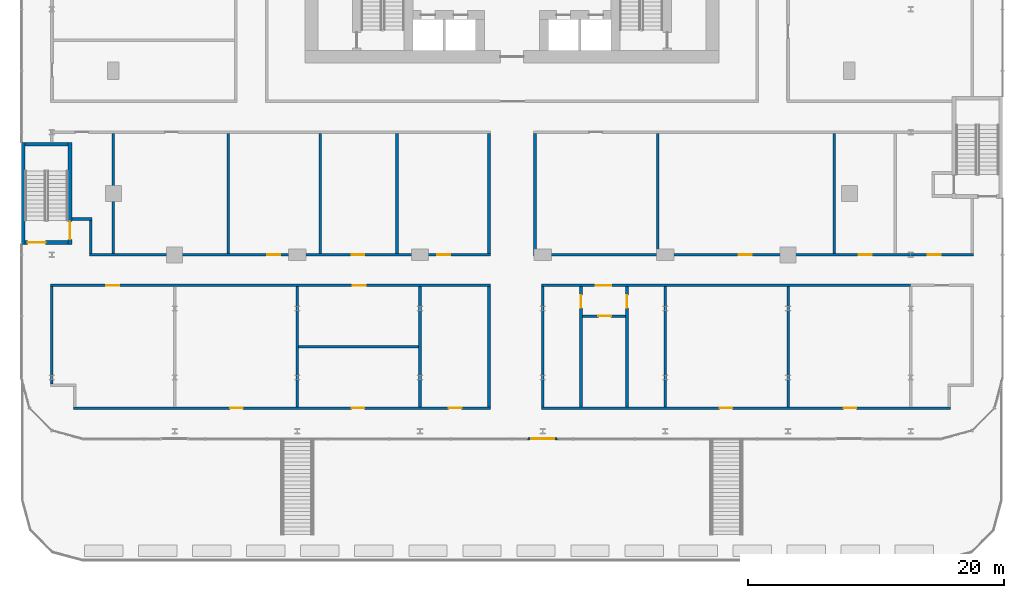
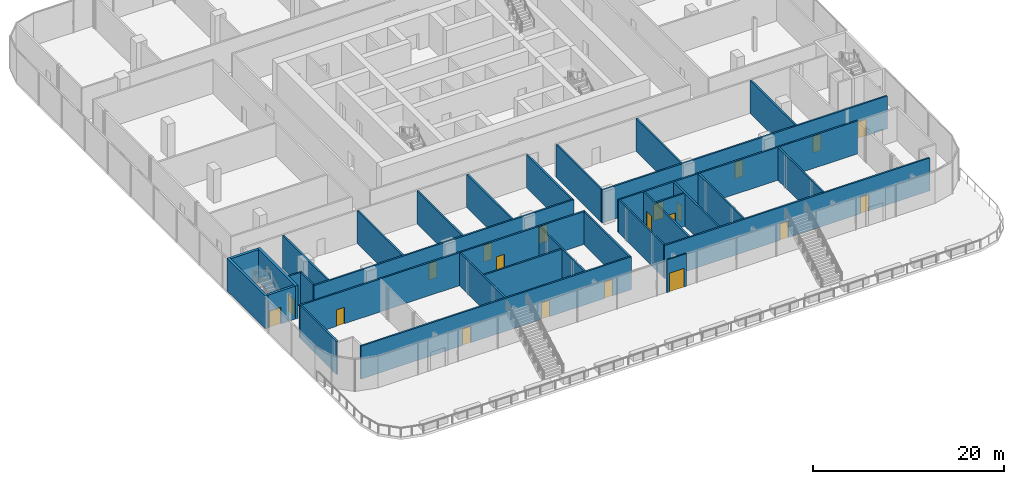
# One storey, part 27 of 38: 32 walls, 20 doors, 20 openings.
"""IFC4 building model written with IfcOpenShell, lengths in metres."""

from ifc_helpers import new_model, si_unit, direction, frame, frame_2d, origin, place, context, subcontext, project, spatial, rectangle, extrude, material, layer, layer_set, type_object, element, fill, save


model = new_model("IFC4")

# Units and contexts
model_context = context("Model", 3, precision=1e-05, world=origin(), true_north=direction((0.0, 1.0)))
body_context = subcontext(model_context, "Body", "Model", "MODEL_VIEW")
ifc_project = project(units=[si_unit("LENGTHUNIT", "METRE"), si_unit("AREAUNIT", "SQUARE_METRE"), si_unit("VOLUMEUNIT", "CUBIC_METRE"), si_unit("PLANEANGLEUNIT", "RADIAN"), si_unit("MASSUNIT", "GRAM", prefix="KILO")], contexts=[model_context])

# Site, building, storey
site_placement = place(None, origin())
site = spatial("IfcSite", under=ifc_project, at=site_placement, CompositionType="ELEMENT")
building_placement = place(site_placement, origin())
building = spatial("IfcBuilding", under=site, at=building_placement, Name="Madar Terraces", CompositionType="ELEMENT")
storey_placement = place(building_placement, frame((0.0, 0.0, 15.0)))
storey = spatial("IfcBuildingStorey", under=building, at=storey_placement, Name="L03", CompositionType="ELEMENT", Elevation=15.0)

# Wall, opening, door
ifc_material_1 = material(Name="Aluminium composite panel, black, over insulated backing", Category="aluminium")
ifc_layer_1 = layer(ifc_material_1, 0.14990234375)
ifc_layer_set_1 = layer_set([ifc_layer_1], Name="Facade bay panel 150")
wall_type_1 = type_object("IfcWallType", Name="Facade bay panel 150", PredefinedType="SOLIDWALL", material=ifc_layer_set_1)
wall_1_placement = place(storey_placement, frame((32.39990234375, -14.39990234375, 0.0), z_axis=(0.0, 0.0, 1.0), x_axis=(1.0, 0.0, 0.0)))
wall_1 = element("IfcWall", 1, at=wall_1_placement, inside=storey, type_object=wall_type_1, Name="Facade bay panel", PredefinedType="SOLIDWALL", context=body_context, shape_type="SweptSolid", body=[
    extrude(rectangle(XDim=2.400146484375, YDim=0.14990234375, at=frame_2d((1.2001953125, 0.0))), origin(), (0.0, 0.0, 1.0), 4.199951171875),
])
opening_1_placement = place(wall_1_placement, frame((0.300048828125, 0.0, 0.0)))
opening_1 = element("IfcOpeningElement", 2, at=opening_1_placement, cuts=wall_1, Name="Opening ED1", PredefinedType="OPENING", context=body_context, shape_type="SweptSolid", body=[
    extrude(rectangle(XDim=1.800048828125, YDim=2.39990234375, at=frame_2d((0.89990234375, 1.199951171875))), frame((0.0, 0.0849609375, 0.0), z_axis=(0.0, -1.0, 0.0), x_axis=(1.0, 0.0, 0.0)), (0.0, 0.0, 1.0), 0.169921875),
])
ifc_material_2 = material(Name="Glass, clear, with black aluminium frame", Category="aluminium")
door_type_1 = type_object("IfcDoorType", Name="Balcony and terrace sliding door 1800 x 2400", OperationType="SLIDING_TO_LEFT", PredefinedType="DOOR", material=ifc_material_2)
door_1_placement = place(opening_1_placement, origin())
door_1 = element("IfcDoor", 3, at=door_1_placement, inside=storey, type_object=door_type_1, Name="Balcony door", OperationType="SLIDING_TO_RIGHT", OverallHeight=2.39990234375, OverallWidth=1.800048828125, PredefinedType="DOOR", context=body_context, shape_type="SweptSolid", body=[
    extrude(rectangle(XDim=1.800048828125, YDim=2.39990234375, at=frame_2d((0.89990234375, 1.199951171875))), frame((0.0, 0.02490234375, 0.0), z_axis=(0.0, -1.0, 0.0), x_axis=(1.0, 0.0, 0.0)), (0.0, 0.0, 1.0), 0.050048828125),
])
fill(opening_1, door_1)

# Wall, openings, doors
ifc_material_3 = material(Name="Gypsum board partition, fire-rated")
ifc_layer_2 = layer(ifc_material_3, 0.199951171875)
ifc_layer_set_2 = layer_set([ifc_layer_2], Name="Partition 200 EI 60")
wall_type_2 = type_object("IfcWallType", Name="Partition 200 EI 60", PredefinedType="PARTITIONING", material=ifc_layer_set_2)
wall_2_placement = place(storey_placement, frame((-3.10009765625, -12.0, 0.0), z_axis=(0.0, 0.0, 1.0), x_axis=(1.0, 0.0, 0.0)))
wall_2 = element("IfcWall", 4, at=wall_2_placement, inside=storey, type_object=wall_type_2, Name="Wall NURSERY PLAY ROOM + STAFF ROOM", PredefinedType="PARTITIONING", context=body_context, shape_type="SweptSolid", body=[
    extrude(rectangle(XDim=32.60009765625, YDim=0.199951171875, at=frame_2d((16.300048828125, 0.0))), origin(), (0.0, 0.0, 1.0), 4.199951171875),
])
opening_2_placement = place(wall_2_placement, frame((12.25, 0.0, 0.0)))
opening_2 = element("IfcOpeningElement", 5, at=opening_2_placement, cuts=wall_2, Name="Opening D31", PredefinedType="OPENING", context=body_context, shape_type="SweptSolid", body=[
    extrude(rectangle(XDim=1.0, YDim=2.10009765625, at=frame_2d((0.5, 1.050048828125))), frame((0.0, 0.10986328125, 0.0), z_axis=(0.0, -1.0, 0.0), x_axis=(1.0, 0.0, 0.0)), (0.0, 0.0, 1.0), 0.219970703125),
])
opening_3_placement = place(wall_2_placement, frame((21.75, 0.0, 0.0)))
opening_3 = element("IfcOpeningElement", 6, at=opening_3_placement, cuts=wall_2, Name="Opening D31", PredefinedType="OPENING", context=body_context, shape_type="SweptSolid", body=[
    extrude(rectangle(XDim=1.0, YDim=2.10009765625, at=frame_2d((0.5, 1.050048828125))), frame((0.0, 0.10986328125, 0.0), z_axis=(0.0, -1.0, 0.0), x_axis=(1.0, 0.0, 0.0)), (0.0, 0.0, 1.0), 0.219970703125),
])
opening_4_placement = place(wall_2_placement, frame((29.35009765625, 0.0, 0.0)))
opening_4 = element("IfcOpeningElement", 7, at=opening_4_placement, cuts=wall_2, Name="Opening D31", PredefinedType="OPENING", context=body_context, shape_type="SweptSolid", body=[
    extrude(rectangle(XDim=1.0, YDim=2.10009765625, at=frame_2d((0.5, 1.050048828125))), frame((0.0, 0.10986328125, 0.0), z_axis=(0.0, -1.0, 0.0), x_axis=(1.0, 0.0, 0.0)), (0.0, 0.0, 1.0), 0.219970703125),
])
ifc_material_4 = material(Name="Timber door leaf, fire-rated", Category="wood")
door_type_2 = type_object("IfcDoorType", Name="Podium door 1000 x 2100 FD30S", OperationType="NOTDEFINED", PredefinedType="DOOR", material=ifc_material_4)
door_2_placement = place(opening_2_placement, origin())
door_2 = element("IfcDoor", 8, at=door_2_placement, inside=storey, type_object=door_type_2, Name="Door NURSERY PLAY ROOM / PODIUM CORRIDOR", OperationType="SINGLE_SWING_RIGHT", OverallHeight=2.10009765625, OverallWidth=1.0, PredefinedType="DOOR", context=body_context, shape_type="SweptSolid", body=[
    extrude(rectangle(XDim=1.0, YDim=2.10009765625, at=frame_2d((0.5, 1.050048828125))), frame((0.0, 0.02490234375, 0.0), z_axis=(0.0, -1.0, 0.0), x_axis=(1.0, 0.0, 0.0)), (0.0, 0.0, 1.0), 0.050048828125),
])
fill(opening_2, door_2)
door_3_placement = place(opening_3_placement, origin())
door_3 = element("IfcDoor", 9, at=door_3_placement, inside=storey, type_object=door_type_2, Name="Door STORE / PODIUM CORRIDOR", OperationType="SINGLE_SWING_LEFT", OverallHeight=2.10009765625, OverallWidth=1.0, PredefinedType="DOOR", context=body_context, shape_type="SweptSolid", body=[
    extrude(rectangle(XDim=1.0, YDim=2.10009765625, at=frame_2d((0.5, 1.050048828125))), frame((0.0, 0.02490234375, 0.0), z_axis=(0.0, -1.0, 0.0), x_axis=(1.0, 0.0, 0.0)), (0.0, 0.0, 1.0), 0.050048828125),
])
fill(opening_3, door_3)
door_4_placement = place(opening_4_placement, origin())
door_4 = element("IfcDoor", 10, at=door_4_placement, inside=storey, type_object=door_type_2, Name="Door STAFF ROOM / PODIUM CORRIDOR", OperationType="SINGLE_SWING_RIGHT", OverallHeight=2.10009765625, OverallWidth=1.0, PredefinedType="DOOR", context=body_context, shape_type="SweptSolid", body=[
    extrude(rectangle(XDim=1.0, YDim=2.10009765625, at=frame_2d((0.5, 1.050048828125))), frame((0.0, 0.02490234375, 0.0), z_axis=(0.0, -1.0, 0.0), x_axis=(1.0, 0.0, 0.0)), (0.0, 0.0, 1.0), 0.050048828125),
])
fill(opening_4, door_4)

wall_3_placement = place(storey_placement, frame((33.5, -12.0, 0.0), z_axis=(0.0, 0.0, 1.0), x_axis=(1.0, 0.0, 0.0)))
wall_3 = element("IfcWall", 11, at=wall_3_placement, inside=storey, type_object=wall_type_2, Name="Wall ACCESSIBLE WC + ACTIVITY ROOM", PredefinedType="PARTITIONING", context=body_context, shape_type="SweptSolid", body=[
    extrude(rectangle(XDim=32.0, YDim=0.199951171875, at=frame_2d((16.0, 0.0))), origin(), (0.0, 0.0, 1.0), 4.199951171875),
])
opening_5_placement = place(wall_3_placement, frame((13.949951171875, 0.0, 0.0)))
opening_5 = element("IfcOpeningElement", 12, at=opening_5_placement, cuts=wall_3, Name="Opening D31", PredefinedType="OPENING", context=body_context, shape_type="SweptSolid", body=[
    extrude(rectangle(XDim=1.0, YDim=2.10009765625, at=frame_2d((0.5, 1.050048828125))), frame((0.0, 0.10986328125, 0.0), z_axis=(0.0, -1.0, 0.0), x_axis=(1.0, 0.0, 0.0)), (0.0, 0.0, 1.0), 0.219970703125),
])
opening_6_placement = place(wall_3_placement, frame((23.64990234375, 0.0, 0.0)))
opening_6 = element("IfcOpeningElement", 13, at=opening_6_placement, cuts=wall_3, Name="Opening D31", PredefinedType="OPENING", context=body_context, shape_type="SweptSolid", body=[
    extrude(rectangle(XDim=1.0, YDim=2.10009765625, at=frame_2d((0.5, 1.050048828125))), frame((0.0, 0.10986328125, 0.0), z_axis=(0.0, -1.0, 0.0), x_axis=(1.0, 0.0, 0.0)), (0.0, 0.0, 1.0), 0.219970703125),
])
door_5_placement = place(opening_5_placement, origin())
door_5 = element("IfcDoor", 14, at=door_5_placement, inside=storey, type_object=door_type_2, Name="Door ACTIVITY ROOM / PODIUM CORRIDOR", OperationType="SINGLE_SWING_LEFT", OverallHeight=2.10009765625, OverallWidth=1.0, PredefinedType="DOOR", context=body_context, shape_type="SweptSolid", body=[
    extrude(rectangle(XDim=1.0, YDim=2.10009765625, at=frame_2d((0.5, 1.050048828125))), frame((0.0, 0.02490234375, 0.0), z_axis=(0.0, -1.0, 0.0), x_axis=(1.0, 0.0, 0.0)), (0.0, 0.0, 1.0), 0.050048828125),
])
fill(opening_5, door_5)
door_6_placement = place(opening_6_placement, origin())
door_6 = element("IfcDoor", 15, at=door_6_placement, inside=storey, type_object=door_type_2, Name="Door ACTIVITY ROOM / PODIUM CORRIDOR", OperationType="SINGLE_SWING_RIGHT", OverallHeight=2.10009765625, OverallWidth=1.0, PredefinedType="DOOR", context=body_context, shape_type="SweptSolid", body=[
    extrude(rectangle(XDim=1.0, YDim=2.10009765625, at=frame_2d((0.5, 1.050048828125))), frame((0.0, 0.02490234375, 0.0), z_axis=(0.0, -1.0, 0.0), x_axis=(1.0, 0.0, 0.0)), (0.0, 0.0, 1.0), 0.050048828125),
])
fill(opening_6, door_6)

# Wall
wall_4_placement = place(storey_placement, frame((14.5, -7.199951171875, 0.0), z_axis=(0.0, 0.0, 1.0), x_axis=(1.0, 0.0, 0.0)))
element("IfcWall", 16, at=wall_4_placement, inside=storey, type_object=wall_type_2, Name="Wall KITCHEN / STORE", PredefinedType="PARTITIONING", context=body_context, shape_type="SweptSolid", body=[
    extrude(rectangle(XDim=9.39990234375, YDim=0.199951171875, at=frame_2d((4.699951171875, 0.0))), origin(), (0.0, 0.0, 1.0), 4.199951171875),
])

# Wall, opening, door
wall_5_placement = place(storey_placement, frame((40.10009765625, -4.800048828125, 0.0), z_axis=(0.0, 0.0, 1.0), x_axis=(-1.0, 0.0, 0.0)))
wall_5 = element("IfcWall", 17, at=wall_5_placement, inside=storey, type_object=wall_type_2, Name="Wall WC LOBBY / ACCESSIBLE WC", PredefinedType="PARTITIONING", context=body_context, shape_type="SweptSolid", body=[
    extrude(rectangle(XDim=3.400146484375, YDim=0.199951171875, at=frame_2d((1.7001953125, 0.0))), origin(), (0.0, 0.0, 1.0), 4.199951171875),
])
opening_7_placement = place(wall_5_placement, frame((1.14990234375, 0.0, 0.0)))
opening_7 = element("IfcOpeningElement", 18, at=opening_7_placement, cuts=wall_5, Name="Opening D31", PredefinedType="OPENING", context=body_context, shape_type="SweptSolid", body=[
    extrude(rectangle(XDim=1.0, YDim=2.10009765625, at=frame_2d((0.5, 1.050048828125))), frame((0.0, 0.10986328125, 0.0), z_axis=(0.0, -1.0, 0.0), x_axis=(1.0, 0.0, 0.0)), (0.0, 0.0, 1.0), 0.219970703125),
])
door_7_placement = place(opening_7_placement, origin())
door_7 = element("IfcDoor", 19, at=door_7_placement, inside=storey, type_object=door_type_2, Name="Door WC LOBBY / ACCESSIBLE WC", OperationType="SINGLE_SWING_LEFT", OverallHeight=2.10009765625, OverallWidth=1.0, PredefinedType="DOOR", context=body_context, shape_type="SweptSolid", body=[
    extrude(rectangle(XDim=1.0, YDim=2.10009765625, at=frame_2d((0.5, 1.050048828125))), frame((0.0, 0.02490234375, 0.0), z_axis=(0.0, -1.0, 0.0), x_axis=(1.0, 0.0, 0.0)), (0.0, 0.0, 1.0), 0.050048828125),
])
fill(opening_7, door_7)

# Wall, openings, doors
wall_6_placement = place(storey_placement, frame((29.5, -2.39990234375, 0.0), z_axis=(0.0, 0.0, 1.0), x_axis=(-1.0, 0.0, 0.0)))
wall_6 = element("IfcWall", 20, at=wall_6_placement, inside=storey, type_object=wall_type_2, Name="Wall KITCHEN + NURSERY PLAY ROOM", PredefinedType="PARTITIONING", context=body_context, shape_type="SweptSolid", body=[
    extrude(rectangle(XDim=34.39990234375, YDim=0.199951171875, at=frame_2d((17.199951171875, 0.0))), origin(), (0.0, 0.0, 1.0), 4.199951171875),
])
opening_8_placement = place(wall_6_placement, frame((29.050048828125, 0.0, 0.0)))
opening_8 = element("IfcOpeningElement", 21, at=opening_8_placement, cuts=wall_6, Name="Opening D31", PredefinedType="OPENING", context=body_context, shape_type="SweptSolid", body=[
    extrude(rectangle(XDim=1.0, YDim=2.10009765625, at=frame_2d((0.5, 1.050048828125))), frame((0.0, 0.10986328125, 0.0), z_axis=(0.0, -1.0, 0.0), x_axis=(1.0, 0.0, 0.0)), (0.0, 0.0, 1.0), 0.219970703125),
])
opening_9_placement = place(wall_6_placement, frame((9.75, 0.0, 0.0)))
opening_9 = element("IfcOpeningElement", 22, at=opening_9_placement, cuts=wall_6, Name="Opening D31", PredefinedType="OPENING", context=body_context, shape_type="SweptSolid", body=[
    extrude(rectangle(XDim=1.0, YDim=2.10009765625, at=frame_2d((0.5, 1.050048828125))), frame((0.0, 0.10986328125, 0.0), z_axis=(0.0, -1.0, 0.0), x_axis=(1.0, 0.0, 0.0)), (0.0, 0.0, 1.0), 0.219970703125),
])
door_8_placement = place(opening_8_placement, origin())
door_8 = element("IfcDoor", 23, at=door_8_placement, inside=storey, type_object=door_type_2, Name="Door NURSERY PLAY ROOM / PODIUM CORRIDOR", OperationType="SINGLE_SWING_LEFT", OverallHeight=2.10009765625, OverallWidth=1.0, PredefinedType="DOOR", context=body_context, shape_type="SweptSolid", body=[
    extrude(rectangle(XDim=1.0, YDim=2.10009765625, at=frame_2d((0.5, 1.050048828125))), frame((0.0, 0.02490234375, 0.0), z_axis=(0.0, -1.0, 0.0), x_axis=(1.0, 0.0, 0.0)), (0.0, 0.0, 1.0), 0.050048828125),
])
fill(opening_8, door_8)
door_9_placement = place(opening_9_placement, origin())
door_9 = element("IfcDoor", 24, at=door_9_placement, inside=storey, type_object=door_type_2, Name="Door KITCHEN / PODIUM CORRIDOR", OperationType="SINGLE_SWING_LEFT", OverallHeight=2.10009765625, OverallWidth=1.0, PredefinedType="DOOR", context=body_context, shape_type="SweptSolid", body=[
    extrude(rectangle(XDim=1.0, YDim=2.10009765625, at=frame_2d((0.5, 1.050048828125))), frame((0.0, 0.02490234375, 0.0), z_axis=(0.0, -1.0, 0.0), x_axis=(1.0, 0.0, 0.0)), (0.0, 0.0, 1.0), 0.050048828125),
])
fill(opening_9, door_9)

# Wall, opening, door
wall_7_placement = place(storey_placement, frame((33.5, -2.39990234375, 0.0), z_axis=(0.0, 0.0, 1.0), x_axis=(1.0, 0.0, 0.0)))
wall_7 = element("IfcWall", 25, at=wall_7_placement, inside=storey, type_object=wall_type_2, Name="Wall ACTIVITY ROOM + WC LOBBY", PredefinedType="PARTITIONING", context=body_context, shape_type="SweptSolid", body=[
    extrude(rectangle(XDim=28.89990234375, YDim=0.199951171875, at=frame_2d((14.449951171875, 0.0))), origin(), (0.0, 0.0, 1.0), 4.199951171875),
])
opening_10_placement = place(wall_7_placement, frame((4.25, 0.0, 0.0)))
opening_10 = element("IfcOpeningElement", 26, at=opening_10_placement, cuts=wall_7, Name="Opening D32", PredefinedType="OPENING", context=body_context, shape_type="SweptSolid", body=[
    extrude(rectangle(XDim=1.199951171875, YDim=2.10009765625, at=frame_2d((0.60009765625, 1.050048828125))), frame((0.0, 0.10986328125, 0.0), z_axis=(0.0, -1.0, 0.0), x_axis=(1.0, 0.0, 0.0)), (0.0, 0.0, 1.0), 0.219970703125),
])
ifc_material_5 = material(Name="Timber door leaf, fire-rated", Category="wood")
door_type_3 = type_object("IfcDoorType", Name="Podium door 1200 x 2100 FD30S", OperationType="NOTDEFINED", PredefinedType="DOOR", material=ifc_material_5)
door_10_placement = place(opening_10_placement, origin())
door_10 = element("IfcDoor", 27, at=door_10_placement, inside=storey, type_object=door_type_3, Name="Door WC LOBBY / PODIUM CORRIDOR", OperationType="SINGLE_SWING_LEFT", OverallHeight=2.10009765625, OverallWidth=1.199951171875, PredefinedType="DOOR", context=body_context, shape_type="SweptSolid", body=[
    extrude(rectangle(XDim=1.199951171875, YDim=2.10009765625, at=frame_2d((0.60009765625, 1.050048828125))), frame((0.0, 0.02490234375, 0.0), z_axis=(0.0, -1.0, 0.0), x_axis=(1.0, 0.0, 0.0)), (0.0, 0.0, 1.0), 0.050048828125),
])
fill(opening_10, door_10)

# Wall, openings, doors
wall_8_placement = place(storey_placement, frame((-1.85009765625, 0.0, 0.0), z_axis=(0.0, 0.0, 1.0), x_axis=(1.0, 0.0, 0.0)))
wall_8 = element("IfcWall", 28, at=wall_8_placement, inside=storey, type_object=wall_type_2, Name="Wall ACTIVITY ROOM + CHILDRENS STORE", PredefinedType="PARTITIONING", context=body_context, shape_type="SweptSolid", body=[
    extrude(rectangle(XDim=31.35009765625, YDim=0.199951171875, at=frame_2d((15.675048828125, 0.0))), origin(), (0.0, 0.0, 1.0), 4.199951171875),
])
opening_11_placement = place(wall_8_placement, frame((13.89990234375, 0.0, 0.0)))
opening_11 = element("IfcOpeningElement", 29, at=opening_11_placement, cuts=wall_8, Name="Opening D31", PredefinedType="OPENING", context=body_context, shape_type="SweptSolid", body=[
    extrude(rectangle(XDim=1.0, YDim=2.10009765625, at=frame_2d((0.5, 1.050048828125))), frame((0.0, 0.10986328125, 0.0), z_axis=(0.0, -1.0, 0.0), x_axis=(1.0, 0.0, 0.0)), (0.0, 0.0, 1.0), 0.219970703125),
])
opening_12_placement = place(wall_8_placement, frame((20.5, 0.0, 0.0)))
opening_12 = element("IfcOpeningElement", 30, at=opening_12_placement, cuts=wall_8, Name="Opening D31", PredefinedType="OPENING", context=body_context, shape_type="SweptSolid", body=[
    extrude(rectangle(XDim=1.0, YDim=2.10009765625, at=frame_2d((0.5, 1.050048828125))), frame((0.0, 0.10986328125, 0.0), z_axis=(0.0, -1.0, 0.0), x_axis=(1.0, 0.0, 0.0)), (0.0, 0.0, 1.0), 0.219970703125),
])
opening_13_placement = place(wall_8_placement, frame((27.199951171875, 0.0, 0.0)))
opening_13 = element("IfcOpeningElement", 31, at=opening_13_placement, cuts=wall_8, Name="Opening D31", PredefinedType="OPENING", context=body_context, shape_type="SweptSolid", body=[
    extrude(rectangle(XDim=1.0, YDim=2.10009765625, at=frame_2d((0.5, 1.050048828125))), frame((0.0, 0.10986328125, 0.0), z_axis=(0.0, -1.0, 0.0), x_axis=(1.0, 0.0, 0.0)), (0.0, 0.0, 1.0), 0.219970703125),
])
door_11_placement = place(opening_11_placement, origin())
door_11 = element("IfcDoor", 32, at=door_11_placement, inside=storey, type_object=door_type_2, Name="Door KITCHENETTE / PODIUM CORRIDOR", OperationType="SINGLE_SWING_LEFT", OverallHeight=2.10009765625, OverallWidth=1.0, PredefinedType="DOOR", context=body_context, shape_type="SweptSolid", body=[
    extrude(rectangle(XDim=1.0, YDim=2.10009765625, at=frame_2d((0.5, 1.050048828125))), frame((0.0, 0.02490234375, 0.0), z_axis=(0.0, -1.0, 0.0), x_axis=(1.0, 0.0, 0.0)), (0.0, 0.0, 1.0), 0.050048828125),
])
fill(opening_11, door_11)
door_12_placement = place(opening_12_placement, origin())
door_12 = element("IfcDoor", 33, at=door_12_placement, inside=storey, type_object=door_type_2, Name="Door CHILDRENS STORE / PODIUM CORRIDOR", OperationType="SINGLE_SWING_LEFT", OverallHeight=2.10009765625, OverallWidth=1.0, PredefinedType="DOOR", context=body_context, shape_type="SweptSolid", body=[
    extrude(rectangle(XDim=1.0, YDim=2.10009765625, at=frame_2d((0.5, 1.050048828125))), frame((0.0, 0.02490234375, 0.0), z_axis=(0.0, -1.0, 0.0), x_axis=(1.0, 0.0, 0.0)), (0.0, 0.0, 1.0), 0.050048828125),
])
fill(opening_12, door_12)
door_13_placement = place(opening_13_placement, origin())
door_13 = element("IfcDoor", 34, at=door_13_placement, inside=storey, type_object=door_type_2, Name="Door OFFICE / PODIUM CORRIDOR", OperationType="SINGLE_SWING_RIGHT", OverallHeight=2.10009765625, OverallWidth=1.0, PredefinedType="DOOR", context=body_context, shape_type="SweptSolid", body=[
    extrude(rectangle(XDim=1.0, YDim=2.10009765625, at=frame_2d((0.5, 1.050048828125))), frame((0.0, 0.02490234375, 0.0), z_axis=(0.0, -1.0, 0.0), x_axis=(1.0, 0.0, 0.0)), (0.0, 0.0, 1.0), 0.050048828125),
])
fill(opening_13, door_13)

wall_9_placement = place(storey_placement, frame((32.89990234375, 0.0, 0.0), z_axis=(0.0, 0.0, 1.0), x_axis=(1.0, 0.0, 0.0)))
wall_9 = element("IfcWall", 35, at=wall_9_placement, inside=storey, type_object=wall_type_2, Name="Wall ACTIVITY ROOM + CHILDRENS LIBRARY", PredefinedType="PARTITIONING", context=body_context, shape_type="SweptSolid", body=[
    extrude(rectangle(XDim=34.400146484375, YDim=0.199951171875, at=frame_2d((17.2001953125, 0.0))), origin(), (0.0, 0.0, 1.0), 4.199951171875),
])
opening_14_placement = place(wall_9_placement, frame((16.050048828125, 0.0, 0.0)))
opening_14 = element("IfcOpeningElement", 36, at=opening_14_placement, cuts=wall_9, Name="Opening D31", PredefinedType="OPENING", context=body_context, shape_type="SweptSolid", body=[
    extrude(rectangle(XDim=1.0, YDim=2.10009765625, at=frame_2d((0.5, 1.050048828125))), frame((0.0, 0.10986328125, 0.0), z_axis=(0.0, -1.0, 0.0), x_axis=(1.0, 0.0, 0.0)), (0.0, 0.0, 1.0), 0.219970703125),
])
opening_15_placement = place(wall_9_placement, frame((25.449951171875, 0.0, 0.0)))
opening_15 = element("IfcOpeningElement", 37, at=opening_15_placement, cuts=wall_9, Name="Opening D31", PredefinedType="OPENING", context=body_context, shape_type="SweptSolid", body=[
    extrude(rectangle(XDim=1.0, YDim=2.10009765625, at=frame_2d((0.5, 1.050048828125))), frame((0.0, 0.10986328125, 0.0), z_axis=(0.0, -1.0, 0.0), x_axis=(1.0, 0.0, 0.0)), (0.0, 0.0, 1.0), 0.219970703125),
])
opening_16_placement = place(wall_9_placement, frame((30.85009765625, 0.0, 0.0)))
opening_16 = element("IfcOpeningElement", 38, at=opening_16_placement, cuts=wall_9, Name="Opening D31", PredefinedType="OPENING", context=body_context, shape_type="SweptSolid", body=[
    extrude(rectangle(XDim=1.0, YDim=2.10009765625, at=frame_2d((0.5, 1.050048828125))), frame((0.0, 0.10986328125, 0.0), z_axis=(0.0, -1.0, 0.0), x_axis=(1.0, 0.0, 0.0)), (0.0, 0.0, 1.0), 0.219970703125),
])
door_14_placement = place(opening_14_placement, origin())
door_14 = element("IfcDoor", 39, at=door_14_placement, inside=storey, type_object=door_type_2, Name="Door LENDING LIBRARY / PODIUM CORRIDOR", OperationType="SINGLE_SWING_LEFT", OverallHeight=2.10009765625, OverallWidth=1.0, PredefinedType="DOOR", context=body_context, shape_type="SweptSolid", body=[
    extrude(rectangle(XDim=1.0, YDim=2.10009765625, at=frame_2d((0.5, 1.050048828125))), frame((0.0, 0.02490234375, 0.0), z_axis=(0.0, -1.0, 0.0), x_axis=(1.0, 0.0, 0.0)), (0.0, 0.0, 1.0), 0.050048828125),
])
fill(opening_14, door_14)
door_15_placement = place(opening_15_placement, origin())
door_15 = element("IfcDoor", 40, at=door_15_placement, inside=storey, type_object=door_type_2, Name="Door STORE / PODIUM CORRIDOR", OperationType="SINGLE_SWING_RIGHT", OverallHeight=2.10009765625, OverallWidth=1.0, PredefinedType="DOOR", context=body_context, shape_type="SweptSolid", body=[
    extrude(rectangle(XDim=1.0, YDim=2.10009765625, at=frame_2d((0.5, 1.050048828125))), frame((0.0, 0.02490234375, 0.0), z_axis=(0.0, -1.0, 0.0), x_axis=(1.0, 0.0, 0.0)), (0.0, 0.0, 1.0), 0.050048828125),
])
fill(opening_15, door_15)
door_16_placement = place(opening_16_placement, origin())
door_16 = element("IfcDoor", 41, at=door_16_placement, inside=storey, type_object=door_type_2, Name="Door ACTIVITY ROOM / PODIUM CORRIDOR", OperationType="SINGLE_SWING_RIGHT", OverallHeight=2.10009765625, OverallWidth=1.0, PredefinedType="DOOR", context=body_context, shape_type="SweptSolid", body=[
    extrude(rectangle(XDim=1.0, YDim=2.10009765625, at=frame_2d((0.5, 1.050048828125))), frame((0.0, 0.02490234375, 0.0), z_axis=(0.0, -1.0, 0.0), x_axis=(1.0, 0.0, 0.0)), (0.0, 0.0, 1.0), 0.050048828125),
])
fill(opening_16, door_16)

# Walls
wall_10_placement = place(storey_placement, frame((-3.25, 2.800048828125, 0.0), z_axis=(0.0, 0.0, 1.0), x_axis=(1.0, 0.0, 0.0)))
element("IfcWall", 42, at=wall_10_placement, inside=storey, type_object=wall_type_2, Name="Wall ACTIVITY ROOM / PODIUM CORRIDOR", PredefinedType="PARTITIONING", context=body_context, shape_type="SweptSolid", body=[
    extrude(rectangle(XDim=1.60009765625, YDim=0.199951171875, at=frame_2d((0.800048828125, 0.0))), origin(), (0.0, 0.0, 1.0), 4.199951171875),
])
wall_11_placement = place(storey_placement, frame((-4.800048828125, -10.10009765625, 0.0), z_axis=(0.0, 0.0, 1.0), x_axis=(0.0, 1.0, 0.0)))
element("IfcWall", 43, at=wall_11_placement, inside=storey, type_object=wall_type_2, Name="Wall NURSERY PLAY ROOM / PODIUM CORRIDOR", PredefinedType="PARTITIONING", context=body_context, shape_type="SweptSolid", body=[
    extrude(rectangle(XDim=7.60009765625, YDim=0.199951171875, at=frame_2d((3.800048828125, 0.0))), origin(), (0.0, 0.0, 1.0), 4.199951171875),
])
wall_12_placement = place(storey_placement, frame((-1.75, 0.10009765625, 0.0), z_axis=(0.0, 0.0, 1.0), x_axis=(0.0, 1.0, 0.0)))
element("IfcWall", 44, at=wall_12_placement, inside=storey, type_object=wall_type_2, Name="Wall ACTIVITY ROOM / PODIUM CORRIDOR", PredefinedType="PARTITIONING", context=body_context, shape_type="SweptSolid", body=[
    extrude(rectangle(XDim=2.599853515625, YDim=0.199951171875, at=frame_2d((1.2998046875, 0.0))), origin(), (0.0, 0.0, 1.0), 4.199951171875),
])
for number, where, z_axis, x_axis, name in (
    (45, (0.0, 0.10009765625, 0.0), (0.0, 0.0, 1.0), (0.0, 1.0, 0.0), "Wall ACTIVITY ROOM / CRAFT ROOM"),
    (46, (9.0, 0.10009765625, 0.0), (0.0, 0.0, 1.0), (0.0, 1.0, 0.0), "Wall CRAFT ROOM / KITCHENETTE"),
    (47, (14.39990234375, -11.89990234375, 0.0), (0.0, 0.0, 1.0), (0.0, 1.0, 0.0), "Wall NURSERY PLAY ROOM"),
    (48, (16.199951171875, 0.10009765625, 0.0), (0.0, 0.0, 1.0), (0.0, 1.0, 0.0), "Wall KITCHENETTE / CHILDRENS STORE"),
    (49, (22.199951171875, 0.10009765625, 0.0), (0.0, 0.0, 1.0), (0.0, 1.0, 0.0), "Wall CHILDRENS STORE / OFFICE"),
    (50, (24.0, -11.89990234375, 0.0), (0.0, 0.0, 1.0), (0.0, 1.0, 0.0), "Wall KITCHEN + STORE"),
    (51, (29.39990234375, -11.89990234375, 0.0), (0.0, 0.0, 1.0), (0.0, 1.0, 0.0), "Wall STAFF ROOM / PODIUM CORRIDOR"),
    (52, (29.39990234375, 0.10009765625, 0.0), (0.0, 0.0, 1.0), (0.0, 1.0, 0.0), "Wall OFFICE / PODIUM CORRIDOR"),
    (53, (33.0, 0.10009765625, 0.0), (0.0, 0.0, 1.0), (0.0, 1.0, 0.0), "Wall CHILDRENS LIBRARY / PODIUM CORRIDOR"),
    (54, (33.60009765625, -11.89990234375, 0.0), (0.0, 0.0, 1.0), (0.0, 1.0, 0.0), "Wall WC MEN / PODIUM CORRIDOR"),
):
    element("IfcWall", number, at=place(storey_placement, frame(where, z_axis=z_axis, x_axis=x_axis)), inside=storey, type_object=wall_type_2, Name=name, PredefinedType="PARTITIONING", context=body_context, shape_type="SweptSolid", body=[
        extrude(rectangle(XDim=9.39990234375, YDim=0.199951171875, at=frame_2d((4.699951171875, 0.0))), origin(), (0.0, 0.0, 1.0), 4.199951171875),
    ])

# Wall, opening, door
wall_13_placement = place(storey_placement, frame((36.60009765625, -11.89990234375, 0.0), z_axis=(0.0, 0.0, 1.0), x_axis=(0.0, 1.0, 0.0)))
wall_13 = element("IfcWall", 55, at=wall_13_placement, inside=storey, type_object=wall_type_2, Name="Wall WC LOBBY + WC MEN", PredefinedType="PARTITIONING", context=body_context, shape_type="SweptSolid", body=[
    extrude(rectangle(XDim=9.39990234375, YDim=0.199951171875, at=frame_2d((4.699951171875, 0.0))), origin(), (0.0, 0.0, 1.0), 4.199951171875),
])
opening_17_placement = place(wall_13_placement, frame((7.75, 0.0, 0.0)))
opening_17 = element("IfcOpeningElement", 56, at=opening_17_placement, cuts=wall_13, Name="Opening D31", PredefinedType="OPENING", context=body_context, shape_type="SweptSolid", body=[
    extrude(rectangle(XDim=1.0, YDim=2.10009765625, at=frame_2d((0.5, 1.050048828125))), frame((0.0, 0.10986328125, 0.0), z_axis=(0.0, -1.0, 0.0), x_axis=(1.0, 0.0, 0.0)), (0.0, 0.0, 1.0), 0.219970703125),
])
door_17_placement = place(opening_17_placement, origin())
door_17 = element("IfcDoor", 57, at=door_17_placement, inside=storey, type_object=door_type_2, Name="Door WC LOBBY / WC MEN", OperationType="SINGLE_SWING_RIGHT", OverallHeight=2.10009765625, OverallWidth=1.0, PredefinedType="DOOR", context=body_context, shape_type="SweptSolid", body=[
    extrude(rectangle(XDim=1.0, YDim=2.10009765625, at=frame_2d((0.5, 1.050048828125))), frame((0.0, 0.02490234375, 0.0), z_axis=(0.0, -1.0, 0.0), x_axis=(1.0, 0.0, 0.0)), (0.0, 0.0, 1.0), 0.050048828125),
])
fill(opening_17, door_17)

wall_14_placement = place(storey_placement, frame((40.199951171875, -2.5, 0.0), z_axis=(0.0, 0.0, 1.0), x_axis=(0.0, -1.0, 0.0)))
wall_14 = element("IfcWall", 58, at=wall_14_placement, inside=storey, type_object=wall_type_2, Name="Wall WC LOBBY + WC WOMEN", PredefinedType="PARTITIONING", context=body_context, shape_type="SweptSolid", body=[
    extrude(rectangle(XDim=9.39990234375, YDim=0.199951171875, at=frame_2d((4.699951171875, 0.0))), origin(), (0.0, 0.0, 1.0), 4.199951171875),
])
opening_18_placement = place(wall_14_placement, frame((0.64990234375, 0.0, 0.0)))
opening_18 = element("IfcOpeningElement", 59, at=opening_18_placement, cuts=wall_14, Name="Opening D31", PredefinedType="OPENING", context=body_context, shape_type="SweptSolid", body=[
    extrude(rectangle(XDim=1.0, YDim=2.10009765625, at=frame_2d((0.5, 1.050048828125))), frame((0.0, 0.10986328125, 0.0), z_axis=(0.0, -1.0, 0.0), x_axis=(1.0, 0.0, 0.0)), (0.0, 0.0, 1.0), 0.219970703125),
])
door_18_placement = place(opening_18_placement, origin())
door_18 = element("IfcDoor", 60, at=door_18_placement, inside=storey, type_object=door_type_2, Name="Door WC LOBBY / WC WOMEN", OperationType="SINGLE_SWING_RIGHT", OverallHeight=2.10009765625, OverallWidth=1.0, PredefinedType="DOOR", context=body_context, shape_type="SweptSolid", body=[
    extrude(rectangle(XDim=1.0, YDim=2.10009765625, at=frame_2d((0.5, 1.050048828125))), frame((0.0, 0.02490234375, 0.0), z_axis=(0.0, -1.0, 0.0), x_axis=(1.0, 0.0, 0.0)), (0.0, 0.0, 1.0), 0.050048828125),
])
fill(opening_18, door_18)

# Walls
for number, where, z_axis, x_axis, name in (
    (61, (42.60009765625, 0.10009765625, 0.0), (0.0, 0.0, 1.0), (0.0, 1.0, 0.0), "Wall CHILDRENS LIBRARY / LENDING LIBRARY"),
    (62, (43.199951171875, -11.89990234375, 0.0), (0.0, 0.0, 1.0), (0.0, 1.0, 0.0), "Wall WC WOMEN / ACTIVITY ROOM"),
    (63, (52.800048828125, -11.89990234375, 0.0), (0.0, 0.0, 1.0), (0.0, 1.0, 0.0), "Wall ACTIVITY ROOM / ACTIVITY ROOM"),
    (64, (56.39990234375, 0.10009765625, 0.0), (0.0, 0.0, 1.0), (0.0, 1.0, 0.0), "Wall LENDING LIBRARY / STORE"),
):
    element("IfcWall", number, at=place(storey_placement, frame(where, z_axis=z_axis, x_axis=x_axis)), inside=storey, type_object=wall_type_2, Name=name, PredefinedType="PARTITIONING", context=body_context, shape_type="SweptSolid", body=[
        extrude(rectangle(XDim=9.39990234375, YDim=0.199951171875, at=frame_2d((4.699951171875, 0.0))), origin(), (0.0, 0.0, 1.0), 4.199951171875),
    ])

# Wall, opening, door
ifc_material_6 = material(Name="Concrete C40/50", Category="concrete")
ifc_layer_3 = layer(ifc_material_6, 0.300048828125)
ifc_layer_set_3 = layer_set([ifc_layer_3], Name="Podium stair wall 300 C40/50")
wall_type_3 = type_object("IfcWallType", Name="Podium stair wall 300 C40/50", PredefinedType="SOLIDWALL", material=ifc_layer_set_3)
wall_15_placement = place(storey_placement, frame((-3.39990234375, 0.800048828125, 0.0), z_axis=(0.0, 0.0, 1.0), x_axis=(0.0, 1.0, 0.0)))
wall_15 = element("IfcWall", 65, at=wall_15_placement, inside=storey, type_object=wall_type_3, Name="PODIUM STAIR WALL", PredefinedType="SOLIDWALL", context=body_context, shape_type="SweptSolid", body=[
    extrude(rectangle(XDim=8.0, YDim=0.300048828125, at=frame_2d((4.0, 0.0))), origin(), (0.0, 0.0, 1.0), 4.199951171875),
])
opening_19_placement = place(wall_15_placement, frame((0.39990234375, 0.0, 0.0)))
opening_19 = element("IfcOpeningElement", 66, at=opening_19_placement, cuts=wall_15, Name="Opening PSD1", PredefinedType="OPENING", context=body_context, shape_type="SweptSolid", body=[
    extrude(rectangle(XDim=1.39990234375, YDim=2.10009765625, at=frame_2d((0.699951171875, 1.050048828125))), frame((0.0, 0.159912109375, 0.0), z_axis=(0.0, -1.0, 0.0), x_axis=(1.0, 0.0, 0.0)), (0.0, 0.0, 1.0), 0.320068359375),
])
ifc_material_7 = material(Name="Steel door leaf", Category="steel")
door_type_4 = type_object("IfcDoorType", Name="Podium stair door pair 1400 x 2100", OperationType="DOUBLE_DOOR_SINGLE_SWING", PredefinedType="DOOR", material=ifc_material_7)
door_19_placement = place(opening_19_placement, origin())
door_19 = element("IfcDoor", 67, at=door_19_placement, inside=storey, type_object=door_type_4, Name="STAIR DOOR", OperationType="DOUBLE_DOOR_SINGLE_SWING", OverallHeight=2.10009765625, OverallWidth=1.39990234375, PredefinedType="DOOR", context=body_context, shape_type="SweptSolid", body=[
    extrude(rectangle(XDim=1.39990234375, YDim=2.10009765625, at=frame_2d((0.699951171875, 1.050048828125))), frame((0.0, 0.02490234375, 0.0), z_axis=(0.0, -1.0, 0.0), x_axis=(1.0, 0.0, 0.0)), (0.0, 0.0, 1.0), 0.050048828125),
])
fill(opening_19, door_19)

wall_16_placement = place(storey_placement, frame((-6.89990234375, 0.949951171875, 0.0), z_axis=(0.0, 0.0, 1.0), x_axis=(1.0, 0.0, 0.0)))
wall_16 = element("IfcWall", 68, at=wall_16_placement, inside=storey, type_object=wall_type_3, Name="PODIUM STAIR WALL", PredefinedType="SOLIDWALL", context=body_context, shape_type="SweptSolid", body=[
    extrude(rectangle(XDim=3.349853515625, YDim=0.300048828125, at=frame_2d((1.6748046875, 0.0))), origin(), (0.0, 0.0, 1.0), 4.199951171875),
])
opening_20_placement = place(wall_16_placement, frame((0.199951171875, 0.0, 0.0)))
opening_20 = element("IfcOpeningElement", 69, at=opening_20_placement, cuts=wall_16, Name="Opening PSD1", PredefinedType="OPENING", context=body_context, shape_type="SweptSolid", body=[
    extrude(rectangle(XDim=1.39990234375, YDim=2.10009765625, at=frame_2d((0.699951171875, 1.050048828125))), frame((0.0, 0.159912109375, 0.0), z_axis=(0.0, -1.0, 0.0), x_axis=(1.0, 0.0, 0.0)), (0.0, 0.0, 1.0), 0.320068359375),
])
door_20_placement = place(opening_20_placement, origin())
door_20 = element("IfcDoor", 70, at=door_20_placement, inside=storey, type_object=door_type_4, Name="STAIR DOOR", OperationType="DOUBLE_DOOR_SINGLE_SWING", OverallHeight=2.10009765625, OverallWidth=1.39990234375, PredefinedType="DOOR", context=body_context, shape_type="SweptSolid", body=[
    extrude(rectangle(XDim=1.39990234375, YDim=2.10009765625, at=frame_2d((0.699951171875, 1.050048828125))), frame((0.0, 0.02490234375, 0.0), z_axis=(0.0, -1.0, 0.0), x_axis=(1.0, 0.0, 0.0)), (0.0, 0.0, 1.0), 0.050048828125),
])
fill(opening_20, door_20)

# Walls
wall_17_placement = place(storey_placement, frame((-6.89990234375, 8.64990234375, 0.0), z_axis=(0.0, 0.0, 1.0), x_axis=(1.0, 0.0, 0.0)))
element("IfcWall", 71, at=wall_17_placement, inside=storey, type_object=wall_type_3, Name="PODIUM STAIR WALL", PredefinedType="SOLIDWALL", context=body_context, shape_type="SweptSolid", body=[
    extrude(rectangle(XDim=3.349853515625, YDim=0.300048828125, at=frame_2d((1.6748046875, 0.0))), origin(), (0.0, 0.0, 1.0), 4.199951171875),
])
ifc_material_8 = material(Name="Concrete C40/50", Category="concrete")
ifc_layer_4 = layer(ifc_material_8, 0.300048828125)
ifc_layer_set_4 = layer_set([ifc_layer_4], Name="Podium stair wall 300 C40/50, external")
wall_type_4 = type_object("IfcWallType", Name="Podium stair wall 300 C40/50, external", PredefinedType="SOLIDWALL", material=ifc_layer_set_4)
wall_18_placement = place(storey_placement, frame((-7.050048828125, 0.800048828125, 0.0), z_axis=(0.0, 0.0, 1.0), x_axis=(0.0, 1.0, 0.0)))
element("IfcWall", 72, at=wall_18_placement, inside=storey, type_object=wall_type_4, Name="PODIUM STAIR WALL", PredefinedType="SOLIDWALL", context=body_context, shape_type="SweptSolid", body=[
    extrude(rectangle(XDim=8.0, YDim=0.300048828125, at=frame_2d((4.0, 0.0))), origin(), (0.0, 0.0, 1.0), 4.199951171875),
])

save(model, "model.ifc")
